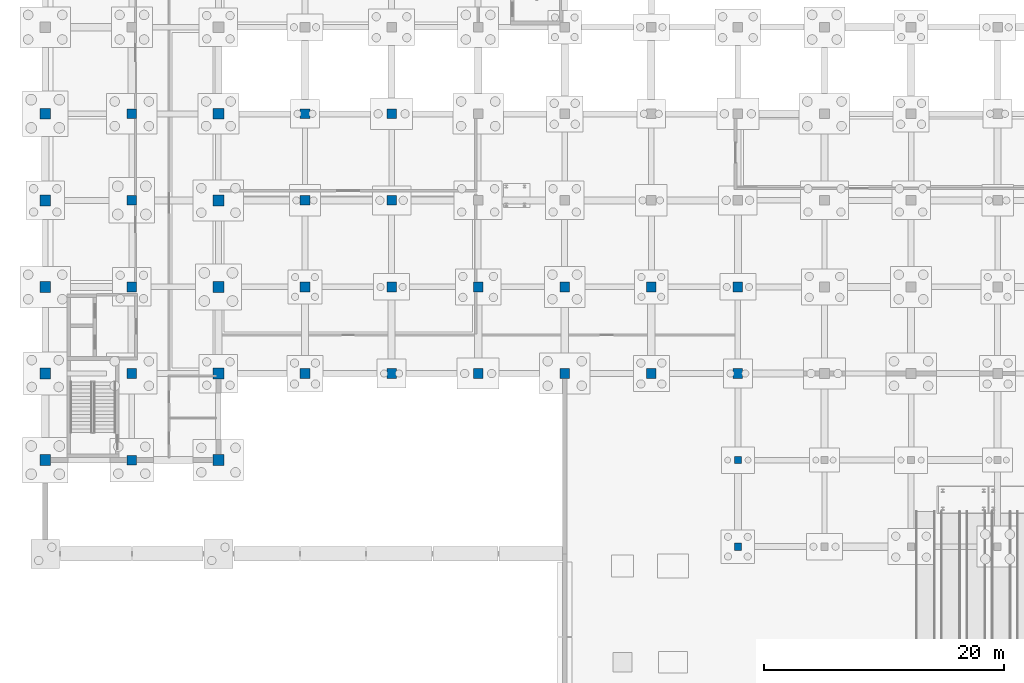
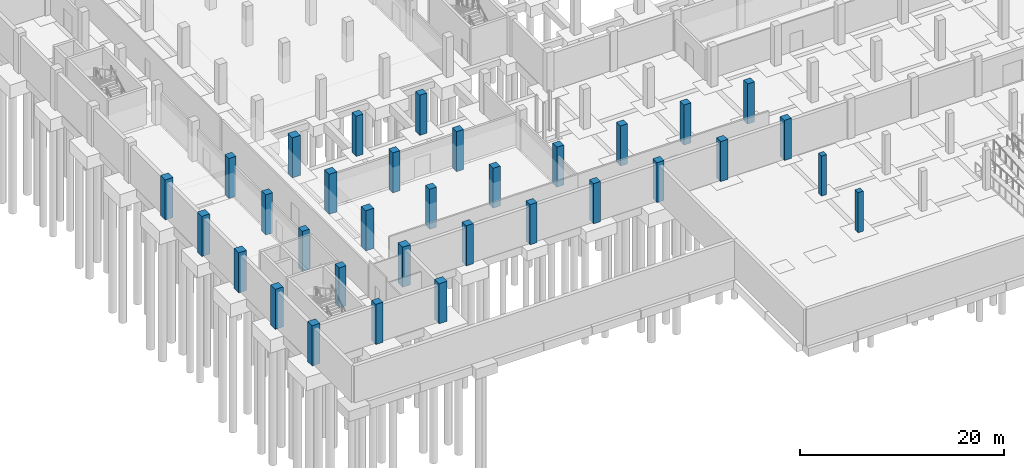
# One storey, part 17 of 38: 33 columns.
"""IFC4 building model written with IfcOpenShell, lengths in metres."""

from ifc_helpers import new_model, si_unit, direction, frame, origin, origin_2d, place, context, subcontext, project, spatial, rectangle, extrude, material, material_profile, profile_set, type_object, element, save


model = new_model("IFC4")

# Units and contexts
model_context = context("Model", 3, precision=1e-05, world=origin(), true_north=direction((0.0, 1.0)))
body_context = subcontext(model_context, "Body", "Model", "MODEL_VIEW")
ifc_project = project(units=[si_unit("LENGTHUNIT", "METRE"), si_unit("AREAUNIT", "SQUARE_METRE"), si_unit("VOLUMEUNIT", "CUBIC_METRE"), si_unit("PLANEANGLEUNIT", "RADIAN"), si_unit("MASSUNIT", "GRAM", prefix="KILO")], contexts=[model_context])

# Site, building, storey
site_placement = place(None, origin())
site = spatial("IfcSite", under=ifc_project, at=site_placement, CompositionType="ELEMENT")
building_placement = place(site_placement, origin())
building = spatial("IfcBuilding", under=site, at=building_placement, Name="Valkovuoma Quantum and Materials Research Institute", CompositionType="ELEMENT")
storey_placement = place(building_placement, frame((0.0, 0.0, -4.800048828125)))
storey = spatial("IfcBuildingStorey", under=building, at=storey_placement, Name="B1", CompositionType="ELEMENT", Elevation=-4.800048828125)

# Columns
ifc_material_1 = material(Name="Concrete C40/50", Category="concrete")
ifc_material_profile_1 = material_profile(ifc_material_1, rectangle(XDim=0.60009765625, YDim=0.60009765625, at=origin_2d()), Name="Concrete C40/50")
ifc_profile_set_1 = profile_set([ifc_material_profile_1], Name="Concrete C40/50")
column_type_1 = type_object("IfcColumnType", Name="Col-C-RC600", PredefinedType="COLUMN", material=ifc_profile_set_1)
for number, where, z_axis, x_axis, name in (
    (1, (57.60009765625, 21.60009765625, 0.0), (0.0, 0.0, 1.0), (1.0, 0.0, 0.0), "B1 column 09D"),
    (2, (57.60009765625, 28.800048828125, 0.0), (0.0, 0.0, 1.0), (1.0, 0.0, 0.0), "B1 column 09E"),
):
    element("IfcColumn", number, at=place(storey_placement, frame(where, z_axis=z_axis, x_axis=x_axis)), inside=storey, type_object=column_type_1, Name=name, PredefinedType="COLUMN", context=body_context, shape_type="SweptSolid", body=[
        extrude(rectangle(XDim=0.60009765625, YDim=0.60009765625, at=origin_2d()), origin(), (0.0, 0.0, 1.0), 4.800048828125),
    ])
ifc_material_2 = material(Name="Concrete C50/60", Category="concrete")
ifc_material_profile_2 = material_profile(ifc_material_2, rectangle(XDim=0.800048828125, YDim=0.800048828125, at=origin_2d()), Name="Concrete C50/60")
ifc_profile_set_2 = profile_set([ifc_material_profile_2], Name="Concrete C50/60")
column_type_2 = type_object("IfcColumnType", Name="Col-C-RC800", PredefinedType="COLUMN", material=ifc_profile_set_2)
for number, where, z_axis, x_axis, name in (
    (3, (7.199951171875, 28.800048828125, 0.0), (0.0, 0.0, 1.0), (1.0, 0.0, 0.0), "B1 column 02E"),
    (4, (7.199951171875, 36.0, 0.0), (0.0, 0.0, 1.0), (1.0, 0.0, 0.0), "B1 column 02F"),
    (5, (7.199951171875, 43.199951171875, 0.0), (0.0, 0.0, 1.0), (1.0, 0.0, 0.0), "B1 column 02G"),
    (6, (7.199951171875, 50.39990234375, 0.0), (0.0, 0.0, 1.0), (1.0, 0.0, 0.0), "B1 column 02H"),
    (7, (7.199951171875, 57.60009765625, 0.0), (0.0, 0.0, 1.0), (1.0, 0.0, 0.0), "B1 column 02J"),
    (8, (21.60009765625, 36.0, 0.0), (0.0, 0.0, 1.0), (1.0, 0.0, 0.0), "B1 column 04F"),
    (9, (21.60009765625, 43.199951171875, 0.0), (0.0, 0.0, 1.0), (1.0, 0.0, 0.0), "B1 column 04G"),
    (10, (21.60009765625, 50.39990234375, 0.0), (0.0, 0.0, 1.0), (1.0, 0.0, 0.0), "B1 column 04H"),
    (11, (21.60009765625, 57.60009765625, 0.0), (0.0, 0.0, 1.0), (1.0, 0.0, 0.0), "B1 column 04J"),
    (12, (28.800048828125, 36.0, 0.0), (0.0, 0.0, 1.0), (1.0, 0.0, 0.0), "B1 column 05F"),
    (13, (28.800048828125, 43.199951171875, 0.0), (0.0, 0.0, 1.0), (1.0, 0.0, 0.0), "B1 column 05G"),
    (14, (28.800048828125, 50.39990234375, 0.0), (0.0, 0.0, 1.0), (1.0, 0.0, 0.0), "B1 column 05H"),
    (15, (28.800048828125, 57.60009765625, 0.0), (0.0, 0.0, 1.0), (1.0, 0.0, 0.0), "B1 column 05J"),
    (16, (36.0, 36.0, 0.0), (0.0, 0.0, 1.0), (1.0, 0.0, 0.0), "B1 column 06F"),
    (17, (36.0, 43.199951171875, 0.0), (0.0, 0.0, 1.0), (1.0, 0.0, 0.0), "B1 column 06G"),
    (18, (43.199951171875, 36.0, 0.0), (0.0, 0.0, 1.0), (1.0, 0.0, 0.0), "B1 column 07F"),
    (19, (43.199951171875, 43.199951171875, 0.0), (0.0, 0.0, 1.0), (1.0, 0.0, 0.0), "B1 column 07G"),
    (20, (50.39990234375, 36.0, 0.0), (0.0, 0.0, 1.0), (1.0, 0.0, 0.0), "B1 column 08F"),
    (21, (50.39990234375, 43.199951171875, 0.0), (0.0, 0.0, 1.0), (1.0, 0.0, 0.0), "B1 column 08G"),
    (22, (57.60009765625, 36.0, 0.0), (0.0, 0.0, 1.0), (1.0, 0.0, 0.0), "B1 column 09F"),
    (23, (57.60009765625, 43.199951171875, 0.0), (0.0, 0.0, 1.0), (1.0, 0.0, 0.0), "B1 column 09G"),
):
    element("IfcColumn", number, at=place(storey_placement, frame(where, z_axis=z_axis, x_axis=x_axis)), inside=storey, type_object=column_type_2, Name=name, PredefinedType="COLUMN", context=body_context, shape_type="SweptSolid", body=[
        extrude(rectangle(XDim=0.800048828125, YDim=0.800048828125, at=origin_2d()), origin(), (0.0, 0.0, 1.0), 4.800048828125),
    ])
ifc_material_3 = material(Name="Concrete C50/60", Category="concrete")
ifc_material_profile_3 = material_profile(ifc_material_3, rectangle(XDim=0.89990234375, YDim=0.89990234375, at=origin_2d()), Name="Concrete C50/60")
ifc_profile_set_3 = profile_set([ifc_material_profile_3], Name="Concrete C50/60")
column_type_3 = type_object("IfcColumnType", Name="Col-C-RC900", PredefinedType="COLUMN", material=ifc_profile_set_3)
for number, where, z_axis, x_axis, name in (
    (24, (0.0, 28.800048828125, 0.0), (0.0, 0.0, 1.0), (1.0, 0.0, 0.0), "B1 column 01E"),
    (25, (0.0, 36.0, 0.0), (0.0, 0.0, 1.0), (1.0, 0.0, 0.0), "B1 column 01F"),
    (26, (0.0, 43.199951171875, 0.0), (0.0, 0.0, 1.0), (1.0, 0.0, 0.0), "B1 column 01G"),
    (27, (0.0, 50.39990234375, 0.0), (0.0, 0.0, 1.0), (1.0, 0.0, 0.0), "B1 column 01H"),
    (28, (0.0, 57.60009765625, 0.0), (0.0, 0.0, 1.0), (1.0, 0.0, 0.0), "B1 column 01J"),
    (29, (14.39990234375, 28.800048828125, 0.0), (0.0, 0.0, 1.0), (1.0, 0.0, 0.0), "B1 column 03E"),
    (30, (14.39990234375, 36.0, 0.0), (0.0, 0.0, 1.0), (1.0, 0.0, 0.0), "B1 column 03F"),
    (31, (14.39990234375, 43.199951171875, 0.0), (0.0, 0.0, 1.0), (1.0, 0.0, 0.0), "B1 column 03G"),
    (32, (14.39990234375, 50.39990234375, 0.0), (0.0, 0.0, 1.0), (1.0, 0.0, 0.0), "B1 column 03H"),
    (33, (14.39990234375, 57.60009765625, 0.0), (0.0, 0.0, 1.0), (1.0, 0.0, 0.0), "B1 column 03J"),
):
    element("IfcColumn", number, at=place(storey_placement, frame(where, z_axis=z_axis, x_axis=x_axis)), inside=storey, type_object=column_type_3, Name=name, PredefinedType="COLUMN", context=body_context, shape_type="SweptSolid", body=[
        extrude(rectangle(XDim=0.89990234375, YDim=0.89990234375, at=origin_2d()), origin(), (0.0, 0.0, 1.0), 4.800048828125),
    ])

save(model, "model.ifc")
